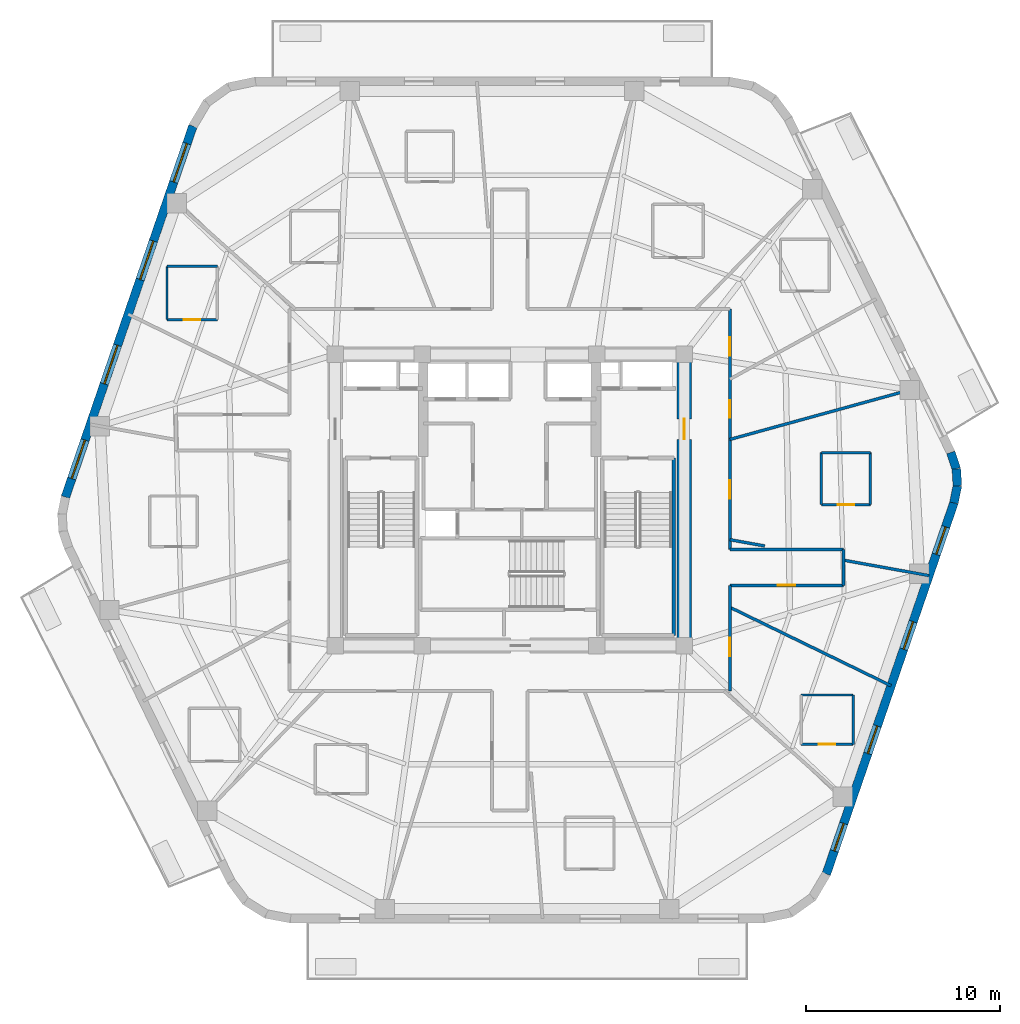
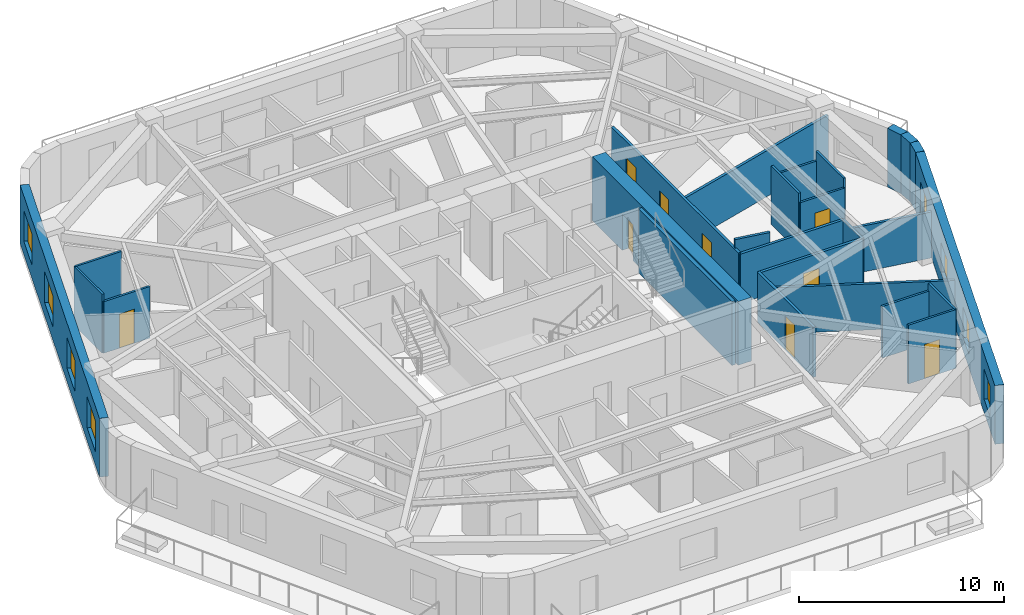
# One storey, part 5 of 10: 26 walls, 9 doors, 8 windows, 17 openings.
"""IFC4 building model written with IfcOpenShell, lengths in metres."""

from ifc_helpers import new_model, si_unit, direction, frame, frame_2d, origin, place, context, subcontext, project, spatial, rectangle, extrude, material, layer, layer_set, type_object, element, fill, save


model = new_model("IFC4")

# Units and contexts
model_context = context("Model", 3, precision=1e-05, world=origin(), true_north=direction((0.0, 1.0)))
body_context = subcontext(model_context, "Body", "Model", "MODEL_VIEW")
ifc_project = project(units=[si_unit("LENGTHUNIT", "METRE"), si_unit("AREAUNIT", "SQUARE_METRE"), si_unit("VOLUMEUNIT", "CUBIC_METRE"), si_unit("PLANEANGLEUNIT", "RADIAN"), si_unit("MASSUNIT", "GRAM", prefix="KILO")], contexts=[model_context])

# Site, building, storey
site_placement = place(None, origin())
site = spatial("IfcSite", under=ifc_project, at=site_placement, CompositionType="ELEMENT")
building_placement = place(site_placement, origin())
building = spatial("IfcBuilding", under=site, at=building_placement, Name="Kilnhurst Terrace Hotel", CompositionType="ELEMENT")
storey_placement = place(building_placement, frame((0.0, 0.0, 248.300048828125)))
storey = spatial("IfcBuildingStorey", under=building, at=storey_placement, Name="L62", CompositionType="ELEMENT", Elevation=248.300048828125)

# Walls
ifc_material_1 = material(Name="Precast concrete C40/50", Category="concrete")
ifc_layer_1 = layer(ifc_material_1, 0.449951171875, Name="Precast concrete C40/50")
ifc_layer_set_1 = layer_set([ifc_layer_1], Name="Precast concrete C40/50")
wall_type_1 = type_object("IfcWallType", Name="WL-BRK-450", PredefinedType="SOLIDWALL", material=ifc_layer_set_1)
wall_1_placement = place(storey_placement, frame((22.8984375, -0.149658203125, 0.0), z_axis=(0.0, 0.0, 1.0), x_axis=(0.199055826889, 0.979988151858, 0.0)))
element("IfcWall", 1, at=wall_1_placement, inside=storey, type_object=wall_type_1, Name="L62 Rounded Corner Brick Wall C3.1", PredefinedType="SOLIDWALL", context=body_context, shape_type="SweptSolid", body=[
    extrude(rectangle(XDim=0.89404296875, YDim=0.449951171875, at=frame_2d((0.447021484375, 0.0))), origin(), (0.0, 0.0, 1.0), 3.5),
])
wall_2_placement = place(storey_placement, frame((23.076416015625, 0.7265625, 0.0), z_axis=(0.0, 0.0, 1.0), x_axis=(-0.060805222108, 0.998149650586, 0.0)))
element("IfcWall", 2, at=wall_2_placement, inside=storey, type_object=wall_type_1, Name="L62 Rounded Corner Brick Wall C3.2", PredefinedType="SOLIDWALL", context=body_context, shape_type="SweptSolid", body=[
    extrude(rectangle(XDim=0.87939453125, YDim=0.449951171875, at=frame_2d((0.439697265625, 0.0))), origin(), (0.0, 0.0, 1.0), 3.5),
])
wall_3_placement = place(storey_placement, frame((23.02294921875, 1.604248046875, 0.0), z_axis=(0.0, 0.0, 1.0), x_axis=(-0.316801227695, 0.948491951537, 0.0)))
element("IfcWall", 3, at=wall_3_placement, inside=storey, type_object=wall_type_1, Name="L62 Rounded Corner Brick Wall C3.3", PredefinedType="SOLIDWALL", context=body_context, shape_type="SweptSolid", body=[
    extrude(rectangle(XDim=0.89404296875, YDim=0.449951171875, at=frame_2d((0.447021484375, 0.0))), origin(), (0.0, 0.0, 1.0), 3.5),
])

# Wall, openings, windows
wall_4_placement = place(storey_placement, frame((16.323974609375, -19.275146484375, 0.0), z_axis=(0.0, 0.0, 1.0), x_axis=(0.325083142304, 0.945685439557, 0.0)))
wall_4 = element("IfcWall", 4, at=wall_4_placement, inside=storey, type_object=wall_type_1, Name="L62 Exterior Brick Facade Wall F2", PredefinedType="SOLIDWALL", context=body_context, shape_type="SweptSolid", body=[
    extrude(rectangle(XDim=20.223876953125, YDim=0.449951171875, at=frame_2d((10.11181640625, 0.0))), origin(), (0.0, 0.0, 1.0), 3.5),
])
opening_1_placement = place(wall_4_placement, frame((1.2529296875, 0.0, 0.800048828125)))
opening_1 = element("IfcOpeningElement", 5, at=opening_1_placement, cuts=wall_4, Name="Opening W-02", PredefinedType="OPENING", context=body_context, shape_type="SweptSolid", body=[
    extrude(rectangle(XDim=1.5, YDim=1.800048828125, at=frame_2d((0.75, 0.89990234375))), frame((0.0, 0.23486328125, 0.0), z_axis=(0.0, -1.0, 0.0), x_axis=(1.0, 0.0, 0.0)), (0.0, 0.0, 1.0), 0.469970703125),
])
opening_2_placement = place(wall_4_placement, frame((6.568115234375, 0.0, 0.800048828125)))
opening_2 = element("IfcOpeningElement", 6, at=opening_2_placement, cuts=wall_4, Name="Opening W-02", PredefinedType="OPENING", context=body_context, shape_type="SweptSolid", body=[
    extrude(rectangle(XDim=1.5, YDim=1.800048828125, at=frame_2d((0.75, 0.89990234375))), frame((0.0, 0.23486328125, 0.0), z_axis=(0.0, -1.0, 0.0), x_axis=(1.0, 0.0, 0.0)), (0.0, 0.0, 1.0), 0.469970703125),
])
opening_3_placement = place(wall_4_placement, frame((12.25, 0.0, 0.800048828125)))
opening_3 = element("IfcOpeningElement", 7, at=opening_3_placement, cuts=wall_4, Name="Opening W-02", PredefinedType="OPENING", context=body_context, shape_type="SweptSolid", body=[
    extrude(rectangle(XDim=1.5, YDim=1.800048828125, at=frame_2d((0.75, 0.89990234375))), frame((0.0, 0.23486328125, 0.0), z_axis=(0.0, -1.0, 0.0), x_axis=(1.0, 0.0, 0.0)), (0.0, 0.0, 1.0), 0.469970703125),
])
opening_4_placement = place(wall_4_placement, frame((17.41796875, 0.0, 0.800048828125)))
opening_4 = element("IfcOpeningElement", 8, at=opening_4_placement, cuts=wall_4, Name="Opening W-02", PredefinedType="OPENING", context=body_context, shape_type="SweptSolid", body=[
    extrude(rectangle(XDim=1.5, YDim=1.800048828125, at=frame_2d((0.75, 0.89990234375))), frame((0.0, 0.23486328125, 0.0), z_axis=(0.0, -1.0, 0.0), x_axis=(1.0, 0.0, 0.0)), (0.0, 0.0, 1.0), 0.469970703125),
])
ifc_material_2 = material(Name="Thermally Broken Bronze Aluminium Alloy 6063-T6 and Low-E Glass", Category="aluminium")
window_type_1 = type_object("IfcWindowType", Name="WIN-1500X1800", PartitioningType="SINGLE_PANEL", PredefinedType="WINDOW", material=ifc_material_2)
window_1_placement = place(opening_1_placement, origin())
window_1 = element("IfcWindow", 9, at=window_1_placement, inside=storey, type_object=window_type_1, Name="L62 Deep-Set Masonry Window F2.1", OverallHeight=1.800048828125, OverallWidth=1.5, PartitioningType="SINGLE_PANEL", PredefinedType="WINDOW", context=body_context, shape_type="SweptSolid", body=[
    extrude(rectangle(XDim=1.5, YDim=1.800048828125, at=frame_2d((0.75, 0.89990234375))), frame((0.0, 0.030029296875, 0.0), z_axis=(0.0, -1.0, 0.0), x_axis=(1.0, 0.0, 0.0)), (0.0, 0.0, 1.0), 0.06005859375),
])
fill(opening_1, window_1)
window_2_placement = place(opening_2_placement, origin())
window_2 = element("IfcWindow", 10, at=window_2_placement, inside=storey, type_object=window_type_1, Name="L62 Deep-Set Masonry Window F2.2", OverallHeight=1.800048828125, OverallWidth=1.5, PartitioningType="SINGLE_PANEL", PredefinedType="WINDOW", context=body_context, shape_type="SweptSolid", body=[
    extrude(rectangle(XDim=1.5, YDim=1.800048828125, at=frame_2d((0.75, 0.89990234375))), frame((0.0, 0.030029296875, 0.0), z_axis=(0.0, -1.0, 0.0), x_axis=(1.0, 0.0, 0.0)), (0.0, 0.0, 1.0), 0.06005859375),
])
fill(opening_2, window_2)
window_3_placement = place(opening_3_placement, origin())
window_3 = element("IfcWindow", 11, at=window_3_placement, inside=storey, type_object=window_type_1, Name="L62 Deep-Set Masonry Window F2.3", OverallHeight=1.800048828125, OverallWidth=1.5, PartitioningType="SINGLE_PANEL", PredefinedType="WINDOW", context=body_context, shape_type="SweptSolid", body=[
    extrude(rectangle(XDim=1.5, YDim=1.800048828125, at=frame_2d((0.75, 0.89990234375))), frame((0.0, 0.030029296875, 0.0), z_axis=(0.0, -1.0, 0.0), x_axis=(1.0, 0.0, 0.0)), (0.0, 0.0, 1.0), 0.06005859375),
])
fill(opening_3, window_3)
window_4_placement = place(opening_4_placement, origin())
window_4 = element("IfcWindow", 12, at=window_4_placement, inside=storey, type_object=window_type_1, Name="L62 Deep-Set Masonry Window F2.4", OverallHeight=1.800048828125, OverallWidth=1.5, PartitioningType="SINGLE_PANEL", PredefinedType="WINDOW", context=body_context, shape_type="SweptSolid", body=[
    extrude(rectangle(XDim=1.5, YDim=1.800048828125, at=frame_2d((0.75, 0.89990234375))), frame((0.0, 0.030029296875, 0.0), z_axis=(0.0, -1.0, 0.0), x_axis=(1.0, 0.0, 0.0)), (0.0, 0.0, 1.0), 0.06005859375),
])
fill(opening_4, window_4)

wall_5_placement = place(storey_placement, frame((-16.323974609375, 19.275146484375, 0.0), z_axis=(0.0, 0.0, 1.0), x_axis=(-0.325083142304, -0.945685439557, 0.0)))
wall_5 = element("IfcWall", 13, at=wall_5_placement, inside=storey, type_object=wall_type_1, Name="L62 Exterior Brick Facade Wall F5", PredefinedType="SOLIDWALL", context=body_context, shape_type="SweptSolid", body=[
    extrude(rectangle(XDim=20.223876953125, YDim=0.449951171875, at=frame_2d((10.11181640625, 0.0))), origin(), (0.0, 0.0, 1.0), 3.5),
])
opening_5_placement = place(wall_5_placement, frame((0.952880859375, 0.0, 0.800048828125)))
opening_5 = element("IfcOpeningElement", 14, at=opening_5_placement, cuts=wall_5, Name="Opening W-04", PredefinedType="OPENING", context=body_context, shape_type="SweptSolid", body=[
    extrude(rectangle(XDim=2.10009765625, YDim=1.85009765625, at=frame_2d((1.050048828125, 0.925048828125))), frame((0.0, 0.23486328125, 0.0), z_axis=(0.0, -1.0, 0.0), x_axis=(1.0, 0.0, 0.0)), (0.0, 0.0, 1.0), 0.469970703125),
])
opening_6_placement = place(wall_5_placement, frame((6.26806640625, 0.0, 0.800048828125)))
opening_6 = element("IfcOpeningElement", 15, at=opening_6_placement, cuts=wall_5, Name="Opening W-04", PredefinedType="OPENING", context=body_context, shape_type="SweptSolid", body=[
    extrude(rectangle(XDim=2.10009765625, YDim=1.85009765625, at=frame_2d((1.050048828125, 0.925048828125))), frame((0.0, 0.23486328125, 0.0), z_axis=(0.0, -1.0, 0.0), x_axis=(1.0, 0.0, 0.0)), (0.0, 0.0, 1.0), 0.469970703125),
])
opening_7_placement = place(wall_5_placement, frame((11.949951171875, 0.0, 0.800048828125)))
opening_7 = element("IfcOpeningElement", 16, at=opening_7_placement, cuts=wall_5, Name="Opening W-04", PredefinedType="OPENING", context=body_context, shape_type="SweptSolid", body=[
    extrude(rectangle(XDim=2.10009765625, YDim=1.85009765625, at=frame_2d((1.050048828125, 0.925048828125))), frame((0.0, 0.23486328125, 0.0), z_axis=(0.0, -1.0, 0.0), x_axis=(1.0, 0.0, 0.0)), (0.0, 0.0, 1.0), 0.469970703125),
])
opening_8_placement = place(wall_5_placement, frame((17.117919921875, 0.0, 0.800048828125)))
opening_8 = element("IfcOpeningElement", 17, at=opening_8_placement, cuts=wall_5, Name="Opening W-04", PredefinedType="OPENING", context=body_context, shape_type="SweptSolid", body=[
    extrude(rectangle(XDim=2.10009765625, YDim=1.85009765625, at=frame_2d((1.050048828125, 0.925048828125))), frame((0.0, 0.23486328125, 0.0), z_axis=(0.0, -1.0, 0.0), x_axis=(1.0, 0.0, 0.0)), (0.0, 0.0, 1.0), 0.469970703125),
])
window_type_2 = type_object("IfcWindowType", Name="WIN-2100X1850", PartitioningType="SINGLE_PANEL", PredefinedType="WINDOW", material=ifc_material_2)
window_5_placement = place(opening_5_placement, origin())
window_5 = element("IfcWindow", 18, at=window_5_placement, inside=storey, type_object=window_type_2, Name="L62 Deep-Set Masonry Window F5.1", OverallHeight=1.85009765625, OverallWidth=2.10009765625, PartitioningType="SINGLE_PANEL", PredefinedType="WINDOW", context=body_context, shape_type="SweptSolid", body=[
    extrude(rectangle(XDim=2.10009765625, YDim=1.85009765625, at=frame_2d((1.050048828125, 0.925048828125))), frame((0.0, 0.030029296875, 0.0), z_axis=(0.0, -1.0, 0.0), x_axis=(1.0, 0.0, 0.0)), (0.0, 0.0, 1.0), 0.06005859375),
])
fill(opening_5, window_5)
window_6_placement = place(opening_6_placement, origin())
window_6 = element("IfcWindow", 19, at=window_6_placement, inside=storey, type_object=window_type_2, Name="L62 Deep-Set Masonry Window F5.2", OverallHeight=1.85009765625, OverallWidth=2.10009765625, PartitioningType="SINGLE_PANEL", PredefinedType="WINDOW", context=body_context, shape_type="SweptSolid", body=[
    extrude(rectangle(XDim=2.10009765625, YDim=1.85009765625, at=frame_2d((1.050048828125, 0.925048828125))), frame((0.0, 0.030029296875, 0.0), z_axis=(0.0, -1.0, 0.0), x_axis=(1.0, 0.0, 0.0)), (0.0, 0.0, 1.0), 0.06005859375),
])
fill(opening_6, window_6)
window_7_placement = place(opening_7_placement, origin())
window_7 = element("IfcWindow", 20, at=window_7_placement, inside=storey, type_object=window_type_2, Name="L62 Deep-Set Masonry Window F5.3", OverallHeight=1.85009765625, OverallWidth=2.10009765625, PartitioningType="SINGLE_PANEL", PredefinedType="WINDOW", context=body_context, shape_type="SweptSolid", body=[
    extrude(rectangle(XDim=2.10009765625, YDim=1.85009765625, at=frame_2d((1.050048828125, 0.925048828125))), frame((0.0, 0.030029296875, 0.0), z_axis=(0.0, -1.0, 0.0), x_axis=(1.0, 0.0, 0.0)), (0.0, 0.0, 1.0), 0.06005859375),
])
fill(opening_7, window_7)
window_8_placement = place(opening_8_placement, origin())
window_8 = element("IfcWindow", 21, at=window_8_placement, inside=storey, type_object=window_type_2, Name="L62 Deep-Set Masonry Window F5.4", OverallHeight=1.85009765625, OverallWidth=2.10009765625, PartitioningType="SINGLE_PANEL", PredefinedType="WINDOW", context=body_context, shape_type="SweptSolid", body=[
    extrude(rectangle(XDim=2.10009765625, YDim=1.85009765625, at=frame_2d((1.050048828125, 0.925048828125))), frame((0.0, 0.030029296875, 0.0), z_axis=(0.0, -1.0, 0.0), x_axis=(1.0, 0.0, 0.0)), (0.0, 0.0, 1.0), 0.06005859375),
])
fill(opening_8, window_8)

# Wall, openings, doors
ifc_material_3 = material(Name="Acoustic Double-Gypsum Corridor Partition Assembly")
ifc_layer_2 = layer(ifc_material_3, 0.14990234375, Name="Acoustic Double-Gypsum Corridor Partition Assembly")
ifc_layer_set_2 = layer_set([ifc_layer_2], Name="Acoustic Double-Gypsum Corridor Partition Assembly")
wall_type_2 = type_object("IfcWallType", Name="WL-COR-150", PredefinedType="PARTITIONING", material=ifc_layer_set_2)
wall_6_placement = place(storey_placement, frame((11.35009765625, 9.85009765625, 0.0), z_axis=(0.0, 0.0, 1.0), x_axis=(0.0, -1.0, 0.0)))
wall_6 = element("IfcWall", 22, at=wall_6_placement, inside=storey, type_object=wall_type_2, Name="L62 Interior Wall WL-L62-COR-11", PredefinedType="PARTITIONING", context=body_context, shape_type="SweptSolid", body=[
    extrude(rectangle(XDim=12.400146484375, YDim=0.14990234375, at=frame_2d((6.2001953125, 0.0))), origin(), (0.0, 0.0, 1.0), 2.989990234375),
])
opening_9_placement = place(wall_6_placement, frame((4.708984375, 0.0, 0.0)))
opening_9 = element("IfcOpeningElement", 23, at=opening_9_placement, cuts=wall_6, Name="Opening D-60C", PredefinedType="OPENING", context=body_context, shape_type="SweptSolid", body=[
    extrude(rectangle(XDim=0.89990234375, YDim=2.030029296875, at=frame_2d((0.449951171875, 1.01513671875))), frame((0.0, 0.0849609375, 0.0), z_axis=(0.0, -1.0, 0.0), x_axis=(1.0, 0.0, 0.0)), (0.0, 0.0, 1.0), 0.169921875),
])
opening_10_placement = place(wall_6_placement, frame((1.45703125, 0.0, 0.0)))
opening_10 = element("IfcOpeningElement", 24, at=opening_10_placement, cuts=wall_6, Name="Opening D-60B", PredefinedType="OPENING", context=body_context, shape_type="SweptSolid", body=[
    extrude(rectangle(XDim=0.949951171875, YDim=2.030029296875, at=frame_2d((0.47509765625, 1.01513671875))), frame((0.0, 0.0849609375, 0.0), z_axis=(0.0, -1.0, 0.0), x_axis=(1.0, 0.0, 0.0)), (0.0, 0.0, 1.0), 0.169921875),
])
opening_11_placement = place(wall_6_placement, frame((8.8349609375, 0.0, 0.0)))
opening_11 = element("IfcOpeningElement", 25, at=opening_11_placement, cuts=wall_6, Name="Opening D-60B", PredefinedType="OPENING", context=body_context, shape_type="SweptSolid", body=[
    extrude(rectangle(XDim=0.949951171875, YDim=2.030029296875, at=frame_2d((0.47509765625, 1.01513671875))), frame((0.0, 0.0849609375, 0.0), z_axis=(0.0, -1.0, 0.0), x_axis=(1.0, 0.0, 0.0)), (0.0, 0.0, 1.0), 0.169921875),
])
ifc_material_4 = material(Name="Painted Solid-Core Service Fire Door")
door_type_1 = type_object("IfcDoorType", Name="DR-FD60-900", OperationType="NOTDEFINED", PredefinedType="DOOR", material=ifc_material_4)
door_1_placement = place(opening_9_placement, origin())
door_1 = element("IfcDoor", 26, at=door_1_placement, inside=storey, type_object=door_type_1, Name="L62 Private Study Salon Door 1", OperationType="SINGLE_SWING_LEFT", OverallHeight=2.030029296875, OverallWidth=0.89990234375, PredefinedType="DOOR", context=body_context, shape_type="SweptSolid", body=[
    extrude(rectangle(XDim=0.89990234375, YDim=2.030029296875, at=frame_2d((0.449951171875, 1.01513671875))), frame((0.0, 0.02490234375, 0.0), z_axis=(0.0, -1.0, 0.0), x_axis=(1.0, 0.0, 0.0)), (0.0, 0.0, 1.0), 0.050048828125),
])
fill(opening_9, door_1)
ifc_material_5 = material(Name="Acoustic Walnut Veneer Solid-Core Fire Door")
door_type_2 = type_object("IfcDoorType", Name="DR-FD60-950", OperationType="NOTDEFINED", PredefinedType="DOOR", material=ifc_material_5)
door_2_placement = place(opening_10_placement, origin())
door_2 = element("IfcDoor", 27, at=door_2_placement, inside=storey, type_object=door_type_2, Name="L62 Guest Room Entry Door 2", OperationType="SINGLE_SWING_RIGHT", OverallHeight=2.030029296875, OverallWidth=0.949951171875, PredefinedType="DOOR", context=body_context, shape_type="SweptSolid", body=[
    extrude(rectangle(XDim=0.949951171875, YDim=2.030029296875, at=frame_2d((0.47509765625, 1.01513671875))), frame((0.0, 0.02490234375, 0.0), z_axis=(0.0, -1.0, 0.0), x_axis=(1.0, 0.0, 0.0)), (0.0, 0.0, 1.0), 0.050048828125),
])
fill(opening_10, door_2)
door_3_placement = place(opening_11_placement, origin())
door_3 = element("IfcDoor", 28, at=door_3_placement, inside=storey, type_object=door_type_2, Name="L62 Executive Suite Entry Door 18", OperationType="SINGLE_SWING_RIGHT", OverallHeight=2.030029296875, OverallWidth=0.949951171875, PredefinedType="DOOR", context=body_context, shape_type="SweptSolid", body=[
    extrude(rectangle(XDim=0.949951171875, YDim=2.030029296875, at=frame_2d((0.47509765625, 1.01513671875))), frame((0.0, 0.02490234375, 0.0), z_axis=(0.0, -1.0, 0.0), x_axis=(1.0, 0.0, 0.0)), (0.0, 0.0, 1.0), 0.050048828125),
])
fill(opening_11, door_3)

# Walls
wall_7_placement = place(storey_placement, frame((11.35009765625, -2.550048828125, 0.0), z_axis=(0.0, 0.0, 1.0), x_axis=(1.0, 0.0, 0.0)))
element("IfcWall", 29, at=wall_7_placement, inside=storey, type_object=wall_type_2, Name="L62 Interior Wall WL-L62-COR-12", PredefinedType="PARTITIONING", context=body_context, shape_type="SweptSolid", body=[
    extrude(rectangle(XDim=5.849853515625, YDim=0.14990234375, at=frame_2d((2.9248046875, 0.0))), origin(), (0.0, 0.0, 1.0), 2.9404296875),
])
wall_8_placement = place(storey_placement, frame((17.199951171875, -2.550048828125, 0.0), z_axis=(0.0, 0.0, 1.0), x_axis=(0.0, -1.0, 0.0)))
element("IfcWall", 30, at=wall_8_placement, inside=storey, type_object=wall_type_2, Name="L62 Interior Wall WL-L62-COR-13", PredefinedType="PARTITIONING", context=body_context, shape_type="SweptSolid", body=[
    extrude(rectangle(XDim=1.849853515625, YDim=0.14990234375, at=frame_2d((0.9248046875, 0.0))), origin(), (0.0, 0.0, 1.0), 2.9404296875),
])

# Wall, opening, door
wall_9_placement = place(storey_placement, frame((17.199951171875, -4.39990234375, 0.0), z_axis=(0.0, 0.0, 1.0), x_axis=(-1.0, 0.0, 0.0)))
wall_9 = element("IfcWall", 31, at=wall_9_placement, inside=storey, type_object=wall_type_2, Name="L62 Interior Wall WL-L62-COR-14", PredefinedType="PARTITIONING", context=body_context, shape_type="SweptSolid", body=[
    extrude(rectangle(XDim=5.849853515625, YDim=0.14990234375, at=frame_2d((2.9248046875, 0.0))), origin(), (0.0, 0.0, 1.0), 2.9404296875),
])
opening_12_placement = place(wall_9_placement, frame((2.47509765625, 0.0, 0.0)))
opening_12 = element("IfcOpeningElement", 32, at=opening_12_placement, cuts=wall_9, Name="Opening D-60C", PredefinedType="OPENING", context=body_context, shape_type="SweptSolid", body=[
    extrude(rectangle(XDim=0.89990234375, YDim=2.030029296875, at=frame_2d((0.449951171875, 1.01513671875))), frame((0.0, 0.0849609375, 0.0), z_axis=(0.0, -1.0, 0.0), x_axis=(1.0, 0.0, 0.0)), (0.0, 0.0, 1.0), 0.169921875),
])
door_4_placement = place(opening_12_placement, origin())
door_4 = element("IfcDoor", 33, at=door_4_placement, inside=storey, type_object=door_type_1, Name="L62 Private Tasting Dining Room Door 17", OperationType="SINGLE_SWING_LEFT", OverallHeight=2.030029296875, OverallWidth=0.89990234375, PredefinedType="DOOR", context=body_context, shape_type="SweptSolid", body=[
    extrude(rectangle(XDim=0.89990234375, YDim=2.030029296875, at=frame_2d((0.449951171875, 1.01513671875))), frame((0.0, 0.02490234375, 0.0), z_axis=(0.0, -1.0, 0.0), x_axis=(1.0, 0.0, 0.0)), (0.0, 0.0, 1.0), 0.050048828125),
])
fill(opening_12, door_4)

wall_10_placement = place(storey_placement, frame((11.35009765625, -4.39990234375, 0.0), z_axis=(0.0, 0.0, 1.0), x_axis=(0.0, -1.0, 0.0)))
wall_10 = element("IfcWall", 34, at=wall_10_placement, inside=storey, type_object=wall_type_2, Name="L62 Interior Wall WL-L62-COR-15", PredefinedType="PARTITIONING", context=body_context, shape_type="SweptSolid", body=[
    extrude(rectangle(XDim=5.4501953125, YDim=0.14990234375, at=frame_2d((2.72509765625, 0.0))), origin(), (0.0, 0.0, 1.0), 2.989990234375),
])
opening_13_placement = place(wall_10_placement, frame((2.694091796875, 0.0, 0.0)))
opening_13 = element("IfcOpeningElement", 35, at=opening_13_placement, cuts=wall_10, Name="Opening D-60B", PredefinedType="OPENING", context=body_context, shape_type="SweptSolid", body=[
    extrude(rectangle(XDim=0.949951171875, YDim=2.030029296875, at=frame_2d((0.47509765625, 1.01513671875))), frame((0.0, 0.0849609375, 0.0), z_axis=(0.0, -1.0, 0.0), x_axis=(1.0, 0.0, 0.0)), (0.0, 0.0, 1.0), 0.169921875),
])
door_5_placement = place(opening_13_placement, origin())
door_5 = element("IfcDoor", 36, at=door_5_placement, inside=storey, type_object=door_type_2, Name="L62 Guest Room Entry Door 16", OperationType="SINGLE_SWING_RIGHT", OverallHeight=2.030029296875, OverallWidth=0.949951171875, PredefinedType="DOOR", context=body_context, shape_type="SweptSolid", body=[
    extrude(rectangle(XDim=0.949951171875, YDim=2.030029296875, at=frame_2d((0.47509765625, 1.01513671875))), frame((0.0, 0.02490234375, 0.0), z_axis=(0.0, -1.0, 0.0), x_axis=(1.0, 0.0, 0.0)), (0.0, 0.0, 1.0), 0.050048828125),
])
fill(opening_13, door_5)

ifc_material_6 = material(Name="Concrete C60/75", Category="concrete")
ifc_layer_3 = layer(ifc_material_6, 0.75, Name="Concrete C60/75")
ifc_layer_set_3 = layer_set([ifc_layer_3], Name="Concrete C60/75")
wall_type_3 = type_object("IfcWallType", Name="WL-CORE-750", PredefinedType="SHEAR", material=ifc_layer_set_3)
wall_11_placement = place(storey_placement, frame((9.0, -7.125, 0.0), z_axis=(0.0, 0.0, 1.0), x_axis=(0.0, 1.0, 0.0)))
wall_11 = element("IfcWall", 37, at=wall_11_placement, inside=storey, type_object=wall_type_3, Name="L62 Core East Shear Wall", PredefinedType="SHEAR", context=body_context, shape_type="SweptSolid", body=[
    extrude(rectangle(XDim=14.25, YDim=0.75, at=frame_2d((7.125, 0.0))), origin(), (0.0, 0.0, 1.0), 3.800048828125),
])
opening_14_placement = place(wall_11_placement, frame((10.25, 0.0, 0.0)))
opening_14 = element("IfcOpeningElement", 38, at=opening_14_placement, cuts=wall_11, Name="Opening D-90A", PredefinedType="OPENING", context=body_context, shape_type="SweptSolid", body=[
    extrude(rectangle(XDim=1.050048828125, YDim=2.14990234375, at=frame_2d((0.52490234375, 1.074951171875))), frame((0.0, 0.385009765625, 0.0), z_axis=(0.0, -1.0, 0.0), x_axis=(1.0, 0.0, 0.0)), (0.0, 0.0, 1.0), 0.77001953125),
])
ifc_material_7 = material(Name="Painted Hollow Metal Steel ASTM A36 Fire Door", Category="steel")
door_type_3 = type_object("IfcDoorType", Name="DR-FD90-1050", OperationType="NOTDEFINED", PredefinedType="DOOR", material=ifc_material_7)
door_6_placement = place(opening_14_placement, origin())
door_6 = element("IfcDoor", 39, at=door_6_placement, inside=storey, type_object=door_type_3, Name="L62 East Firefighting Lobby Door", OperationType="SINGLE_SWING_LEFT", OverallHeight=2.14990234375, OverallWidth=1.050048828125, PredefinedType="DOOR", context=body_context, shape_type="SweptSolid", body=[
    extrude(rectangle(XDim=1.050048828125, YDim=2.14990234375, at=frame_2d((0.52490234375, 1.074951171875))), frame((0.0, 0.02490234375, 0.0), z_axis=(0.0, -1.0, 0.0), x_axis=(1.0, 0.0, 0.0)), (0.0, 0.0, 1.0), 0.050048828125),
])
fill(opening_14, door_6)

# Walls
ifc_material_8 = material(Name="STC-58 Acoustic Twin-Frame Guestroom Demising Partition")
ifc_layer_4 = layer(ifc_material_8, 0.14990234375, Name="STC-58 Acoustic Twin-Frame Guestroom Demising Partition")
ifc_layer_set_4 = layer_set([ifc_layer_4], Name="STC-58 Acoustic Twin-Frame Guestroom Demising Partition")
wall_type_4 = type_object("IfcWallType", Name="WL-DEM-150", PredefinedType="PARTITIONING", material=ifc_layer_set_4)
wall_12_placement = place(storey_placement, frame((11.35009765625, 3.12060546875, 0.0), z_axis=(0.0, 0.0, 1.0), x_axis=(0.964212793822, 0.265129568758, 0.0)))
element("IfcWall", 40, at=wall_12_placement, inside=storey, type_object=wall_type_4, Name="L62 Interior Wall WL-L62-DEM-COL01-01-1", PredefinedType="PARTITIONING", context=body_context, shape_type="SweptSolid", body=[
    extrude(rectangle(XDim=10.119873046875, YDim=0.14990234375, at=frame_2d((5.06005859375, 0.0))), origin(), (0.0, 0.0, 1.0), 2.739990234375),
])
wall_13_placement = place(storey_placement, frame((11.35009765625, -5.528076171875, 0.0), z_axis=(0.0, 0.0, 1.0), x_axis=(0.899038669565, -0.437869239188, 0.0)))
element("IfcWall", 41, at=wall_13_placement, inside=storey, type_object=wall_type_4, Name="L62 Interior Wall WL-L62-DEM-MID11-17-1", PredefinedType="PARTITIONING", context=body_context, shape_type="SweptSolid", body=[
    extrude(rectangle(XDim=9.24169921875, YDim=0.14990234375, at=frame_2d((4.620849609375, 0.0))), origin(), (0.0, 0.0, 1.0), 2.739990234375),
])
wall_14_placement = place(storey_placement, frame((11.35009765625, -2.046142578125, 0.0), z_axis=(0.0, 0.0, 1.0), x_axis=(0.984127783205, -0.177461281195, 0.0)))
element("IfcWall", 42, at=wall_14_placement, inside=storey, type_object=wall_type_4, Name="L62 Interior Wall WL-L62-DEM-COL12-18-1", PredefinedType="PARTITIONING", context=body_context, shape_type="SweptSolid", body=[
    extrude(rectangle(XDim=1.82568359375, YDim=0.14990234375, at=frame_2d((0.912841796875, 0.0))), origin(), (0.0, 0.0, 1.0), 3.5),
])
wall_15_placement = place(storey_placement, frame((17.199951171875, -3.1005859375, 0.0), z_axis=(0.0, 0.0, 1.0), x_axis=(0.98413465883, -0.177423147559, 0.0)))
element("IfcWall", 43, at=wall_15_placement, inside=storey, type_object=wall_type_4, Name="L62 Interior Wall WL-L62-DEM-COL12-18-2", PredefinedType="PARTITIONING", context=body_context, shape_type="SweptSolid", body=[
    extrude(rectangle(XDim=4.481689453125, YDim=0.14990234375, at=frame_2d((2.24072265625, 0.0))), origin(), (0.0, 0.0, 1.0), 2.739990234375),
])

# Wall, opening, door
ifc_material_9 = material(Name="120 mm Moisture-Resistant Tile-Backed Bathroom Partition")
ifc_layer_5 = layer(ifc_material_9, 0.1201171875, Name="120 mm Moisture-Resistant Tile-Backed Bathroom Partition")
ifc_layer_set_5 = layer_set([ifc_layer_5], Name="120 mm Moisture-Resistant Tile-Backed Bathroom Partition")
wall_type_5 = type_object("IfcWallType", Name="WL-PART-120", PredefinedType="PARTITIONING", material=ifc_layer_set_5)
wall_16_placement = place(storey_placement, frame((-17.6640625, 9.2939453125, 0.0), z_axis=(0.0, 0.0, 1.0), x_axis=(1.0, 0.0, 0.0)))
wall_16 = element("IfcWall", 44, at=wall_16_placement, inside=storey, type_object=wall_type_5, Name="L62 Interior Wall WL-L62-BTH-07-1", PredefinedType="PARTITIONING", context=body_context, shape_type="SweptSolid", body=[
    extrude(rectangle(XDim=2.60009765625, YDim=0.1201171875, at=frame_2d((1.300048828125, 0.0))), origin(), (0.0, 0.0, 1.0), 3.072265625),
])
opening_15_placement = place(wall_16_placement, frame((0.875, 0.0, 0.0)))
opening_15 = element("IfcOpeningElement", 45, at=opening_15_placement, cuts=wall_16, Name="Opening D-08A", PredefinedType="OPENING", context=body_context, shape_type="SweptSolid", body=[
    extrude(rectangle(XDim=0.85009765625, YDim=2.030029296875, at=frame_2d((0.425048828125, 1.01513671875))), frame((0.0, 0.070068359375, 0.0), z_axis=(0.0, -1.0, 0.0), x_axis=(1.0, 0.0, 0.0)), (0.0, 0.0, 1.0), 0.14013671875),
])
ifc_material_10 = material(Name="Moisture-Resistant Lacquered En-suite Bathroom Door")
door_type_4 = type_object("IfcDoorType", Name="DR-INT-850", OperationType="NOTDEFINED", PredefinedType="DOOR", material=ifc_material_10)
door_7_placement = place(opening_15_placement, origin())
door_7 = element("IfcDoor", 46, at=door_7_placement, inside=storey, type_object=door_type_4, Name="L62 En-suite Bathroom Door 7", OperationType="SINGLE_SWING_RIGHT", OverallHeight=2.030029296875, OverallWidth=0.85009765625, PredefinedType="DOOR", context=body_context, shape_type="SweptSolid", body=[
    extrude(rectangle(XDim=0.85009765625, YDim=2.030029296875, at=frame_2d((0.425048828125, 1.01513671875))), frame((0.0, 0.02490234375, 0.0), z_axis=(0.0, -1.0, 0.0), x_axis=(1.0, 0.0, 0.0)), (0.0, 0.0, 1.0), 0.050048828125),
])
fill(opening_15, door_7)

# Walls
wall_17_placement = place(storey_placement, frame((-15.06396484375, 12.0439453125, 0.0), z_axis=(0.0, 0.0, 1.0), x_axis=(-1.0, 0.0, 0.0)))
element("IfcWall", 47, at=wall_17_placement, inside=storey, type_object=wall_type_5, Name="L62 Interior Wall WL-L62-BTH-07-3", PredefinedType="PARTITIONING", context=body_context, shape_type="SweptSolid", body=[
    extrude(rectangle(XDim=2.60009765625, YDim=0.1201171875, at=frame_2d((1.300048828125, 0.0))), origin(), (0.0, 0.0, 1.0), 3.5),
])
wall_18_placement = place(storey_placement, frame((-17.6640625, 12.0439453125, 0.0), z_axis=(0.0, 0.0, 1.0), x_axis=(0.0, -1.0, 0.0)))
element("IfcWall", 48, at=wall_18_placement, inside=storey, type_object=wall_type_5, Name="L62 Interior Wall WL-L62-BTH-07-4", PredefinedType="PARTITIONING", context=body_context, shape_type="SweptSolid", body=[
    extrude(rectangle(XDim=2.75, YDim=0.1201171875, at=frame_2d((1.375, 0.0))), origin(), (0.0, 0.0, 1.0), 3.5),
])

# Wall, opening, door
wall_19_placement = place(storey_placement, frame((15.02392578125, -12.589111328125, 0.0), z_axis=(0.0, 0.0, 1.0), x_axis=(1.0, 0.0, 0.0)))
wall_19 = element("IfcWall", 49, at=wall_19_placement, inside=storey, type_object=wall_type_5, Name="L62 Interior Wall WL-L62-BTH-16-1", PredefinedType="PARTITIONING", context=body_context, shape_type="SweptSolid", body=[
    extrude(rectangle(XDim=2.68017578125, YDim=0.1201171875, at=frame_2d((1.340087890625, 0.0))), origin(), (0.0, 0.0, 1.0), 3.5),
])
opening_16_placement = place(wall_19_placement, frame((0.9150390625, 0.0, 0.0)))
opening_16 = element("IfcOpeningElement", 50, at=opening_16_placement, cuts=wall_19, Name="Opening D-08A", PredefinedType="OPENING", context=body_context, shape_type="SweptSolid", body=[
    extrude(rectangle(XDim=0.85009765625, YDim=2.030029296875, at=frame_2d((0.425048828125, 1.01513671875))), frame((0.0, 0.070068359375, 0.0), z_axis=(0.0, -1.0, 0.0), x_axis=(1.0, 0.0, 0.0)), (0.0, 0.0, 1.0), 0.14013671875),
])
door_8_placement = place(opening_16_placement, origin())
door_8 = element("IfcDoor", 51, at=door_8_placement, inside=storey, type_object=door_type_4, Name="L62 En-suite Bathroom Door 16", OperationType="SINGLE_SWING_LEFT", OverallHeight=2.030029296875, OverallWidth=0.85009765625, PredefinedType="DOOR", context=body_context, shape_type="SweptSolid", body=[
    extrude(rectangle(XDim=0.85009765625, YDim=2.030029296875, at=frame_2d((0.425048828125, 1.01513671875))), frame((0.0, 0.02490234375, 0.0), z_axis=(0.0, -1.0, 0.0), x_axis=(1.0, 0.0, 0.0)), (0.0, 0.0, 1.0), 0.050048828125),
])
fill(opening_16, door_8)

# Walls
wall_20_placement = place(storey_placement, frame((17.7041015625, -12.589111328125, 0.0), z_axis=(0.0, 0.0, 1.0), x_axis=(0.0, 1.0, 0.0)))
element("IfcWall", 52, at=wall_20_placement, inside=storey, type_object=wall_type_5, Name="L62 Interior Wall WL-L62-BTH-16-2", PredefinedType="PARTITIONING", context=body_context, shape_type="SweptSolid", body=[
    extrude(rectangle(XDim=2.5400390625, YDim=0.1201171875, at=frame_2d((1.27001953125, 0.0))), origin(), (0.0, 0.0, 1.0), 3.5),
])
wall_21_placement = place(storey_placement, frame((17.7041015625, -10.049072265625, 0.0), z_axis=(0.0, 0.0, 1.0), x_axis=(-1.0, 0.0, 0.0)))
element("IfcWall", 53, at=wall_21_placement, inside=storey, type_object=wall_type_5, Name="L62 Interior Wall WL-L62-BTH-16-3", PredefinedType="PARTITIONING", context=body_context, shape_type="SweptSolid", body=[
    extrude(rectangle(XDim=2.68017578125, YDim=0.1201171875, at=frame_2d((1.340087890625, 0.0))), origin(), (0.0, 0.0, 1.0), 3.072265625),
])

# Wall, opening, door
wall_22_placement = place(storey_placement, frame((16.06591796875, -0.239013671875, 0.0), z_axis=(0.0, 0.0, 1.0), x_axis=(1.0, 0.0, 0.0)))
wall_22 = element("IfcWall", 54, at=wall_22_placement, inside=storey, type_object=wall_type_5, Name="L62 Interior Wall WL-L62-BTH-18-1", PredefinedType="PARTITIONING", context=body_context, shape_type="SweptSolid", body=[
    extrude(rectangle(XDim=2.52001953125, YDim=0.1201171875, at=frame_2d((1.260009765625, 0.0))), origin(), (0.0, 0.0, 1.0), 2.9404296875),
])
opening_17_placement = place(wall_22_placement, frame((0.8349609375, 0.0, 0.0)))
opening_17 = element("IfcOpeningElement", 55, at=opening_17_placement, cuts=wall_22, Name="Opening D-08A", PredefinedType="OPENING", context=body_context, shape_type="SweptSolid", body=[
    extrude(rectangle(XDim=0.85009765625, YDim=2.030029296875, at=frame_2d((0.425048828125, 1.01513671875))), frame((0.0, 0.070068359375, 0.0), z_axis=(0.0, -1.0, 0.0), x_axis=(1.0, 0.0, 0.0)), (0.0, 0.0, 1.0), 0.14013671875),
])
door_9_placement = place(opening_17_placement, origin())
door_9 = element("IfcDoor", 56, at=door_9_placement, inside=storey, type_object=door_type_4, Name="L62 En-suite Bathroom Door 18", OperationType="SINGLE_SWING_LEFT", OverallHeight=2.030029296875, OverallWidth=0.85009765625, PredefinedType="DOOR", context=body_context, shape_type="SweptSolid", body=[
    extrude(rectangle(XDim=0.85009765625, YDim=2.030029296875, at=frame_2d((0.425048828125, 1.01513671875))), frame((0.0, 0.02490234375, 0.0), z_axis=(0.0, -1.0, 0.0), x_axis=(1.0, 0.0, 0.0)), (0.0, 0.0, 1.0), 0.050048828125),
])
fill(opening_17, door_9)

# Walls
wall_23_placement = place(storey_placement, frame((18.5859375, -0.239013671875, 0.0), z_axis=(0.0, 0.0, 1.0), x_axis=(0.0, 1.0, 0.0)))
element("IfcWall", 57, at=wall_23_placement, inside=storey, type_object=wall_type_5, Name="L62 Interior Wall WL-L62-BTH-18-2", PredefinedType="PARTITIONING", context=body_context, shape_type="SweptSolid", body=[
    extrude(rectangle(XDim=2.679931640625, YDim=0.1201171875, at=frame_2d((1.33984375, 0.0))), origin(), (0.0, 0.0, 1.0), 3.5),
])
wall_24_placement = place(storey_placement, frame((18.5859375, 2.44091796875, 0.0), z_axis=(0.0, 0.0, 1.0), x_axis=(-1.0, 0.0, 0.0)))
element("IfcWall", 58, at=wall_24_placement, inside=storey, type_object=wall_type_5, Name="L62 Interior Wall WL-L62-BTH-18-3", PredefinedType="PARTITIONING", context=body_context, shape_type="SweptSolid", body=[
    extrude(rectangle(XDim=2.52001953125, YDim=0.1201171875, at=frame_2d((1.260009765625, 0.0))), origin(), (0.0, 0.0, 1.0), 2.9404296875),
])
wall_25_placement = place(storey_placement, frame((16.06591796875, 2.44091796875, 0.0), z_axis=(0.0, 0.0, 1.0), x_axis=(0.0, -1.0, 0.0)))
element("IfcWall", 59, at=wall_25_placement, inside=storey, type_object=wall_type_5, Name="L62 Interior Wall WL-L62-BTH-18-4", PredefinedType="PARTITIONING", context=body_context, shape_type="SweptSolid", body=[
    extrude(rectangle(XDim=2.679931640625, YDim=0.1201171875, at=frame_2d((1.33984375, 0.0))), origin(), (0.0, 0.0, 1.0), 3.5),
])
ifc_material_11 = material(Name="Concrete C50/60", Category="concrete")
ifc_layer_6 = layer(ifc_material_11, 0.199951171875, Name="Concrete C50/60")
ifc_layer_set_6 = layer_set([ifc_layer_6], Name="Concrete C50/60")
wall_type_6 = type_object("IfcWallType", Name="WL-STAIR-RC-200", PredefinedType="SHEAR", material=ifc_layer_set_6)
wall_26_placement = place(storey_placement, frame((8.4580078125, -6.985107421875, 0.0), z_axis=(0.0, 0.0, 1.0), x_axis=(0.0, 1.0, 0.0)))
element("IfcWall", 60, at=wall_26_placement, inside=storey, type_object=wall_type_6, Name="L62 Structural Stair Shaft Wall WL-L62-ST2-E", PredefinedType="SHEAR", context=body_context, shape_type="SweptSolid", body=[
    extrude(rectangle(XDim=9.14306640625, YDim=0.199951171875, at=frame_2d((4.571533203125, 0.0))), origin(), (0.0, 0.0, 1.0), 3.800048828125),
])

save(model, "model.ifc")
